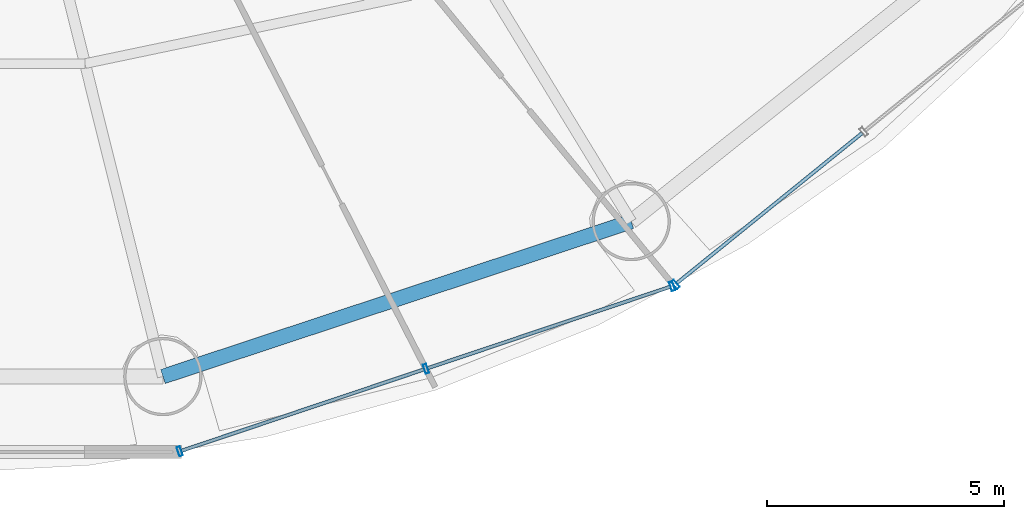
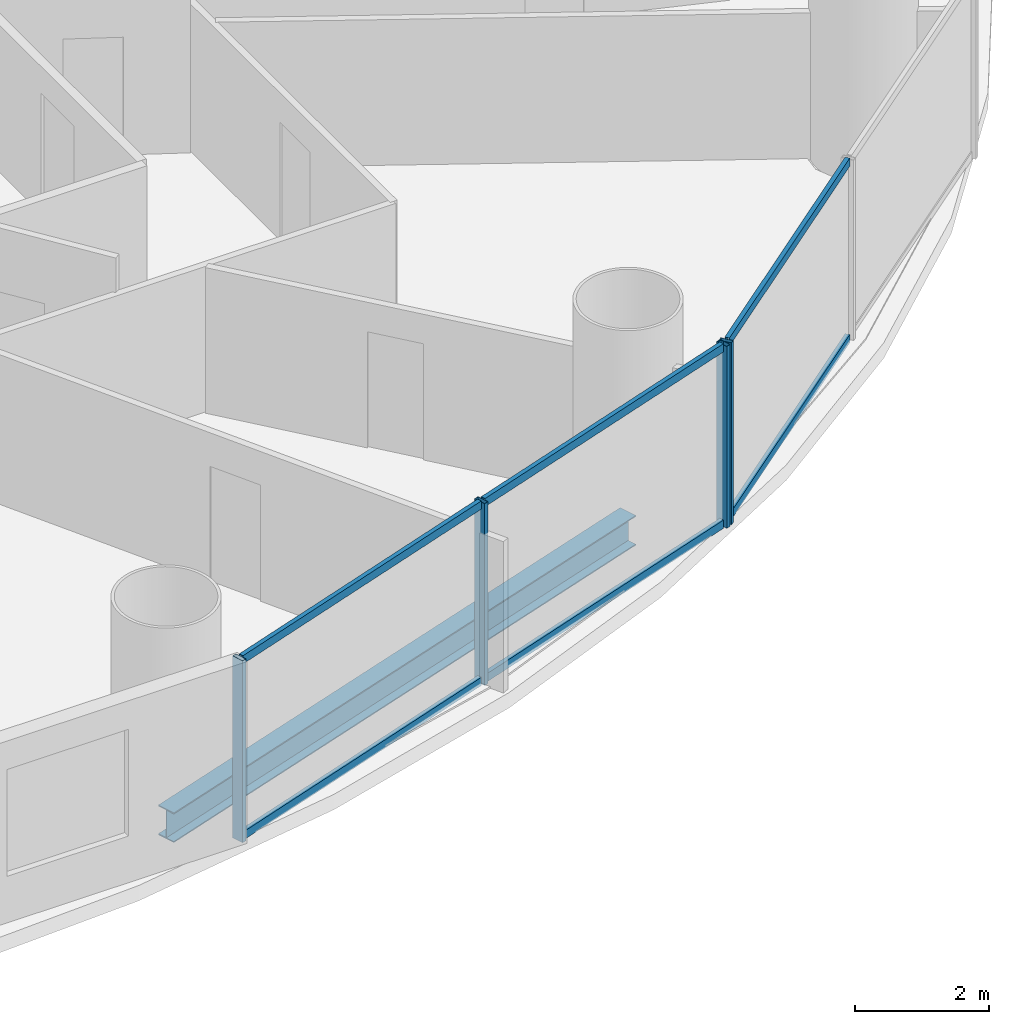
# One storey, part 8 of 28: 10 members, 1 beam, 2 elements without a shape of their own.
"""IFC4 building model written with IfcOpenShell, lengths in metres."""

from ifc_helpers import new_model, si_unit, direction, frame, origin, origin_2d, place, context, subcontext, project, spatial, hollow_rectangle, i_section, extrude, source, transform, mapped, material, material_profile, profile_set, type_object, element, aggregate, save


model = new_model("IFC4")

# Units and contexts
model_context = context("Model", 3, precision=1e-05, world=origin(), true_north=direction((-0.2419218956, 0.970295726276)))
body_context = subcontext(model_context, "Body", "Model", "MODEL_VIEW")
ifc_project = project(units=[si_unit("LENGTHUNIT", "METRE"), si_unit("AREAUNIT", "SQUARE_METRE"), si_unit("VOLUMEUNIT", "CUBIC_METRE"), si_unit("PLANEANGLEUNIT", "RADIAN"), si_unit("MASSUNIT", "GRAM", prefix="KILO")], contexts=[model_context])

# Site, building, storey
site_placement = place(None, origin())
site = spatial("IfcSite", under=ifc_project, at=site_placement, CompositionType="ELEMENT")
building_placement = place(site_placement, origin())
building = spatial("IfcBuilding", under=site, at=building_placement, Name="Cobrevalo Terracotta Tower", CompositionType="ELEMENT")
storey_placement = place(building_placement, frame((0.0, 0.0, 34.800048828125)))
storey = spatial("IfcBuildingStorey", under=building, at=storey_placement, Name="L08", CompositionType="ELEMENT", Elevation=34.800048828125)

# Beam
ifc_material_1 = material(Name="Steel S355", Category="steel")
ifc_material_profile_1 = material_profile(ifc_material_1, i_section(OverallWidth=0.31201171875, OverallDepth=0.54296875, WebThickness=0.0126953125, FlangeThickness=0.020263671875, at=origin_2d()), Name="W 530x150")
ifc_profile_set_1 = profile_set([ifc_material_profile_1], Name="Steel S355")
beam_type = type_object("IfcBeamType", Name="Structural Spandrel W 530x150 (Steel S355)", PredefinedType="SPANDREL", material=ifc_profile_set_1)
beam_placement = place(storey_placement, frame((43.335693359375, 5.369873046875, -0.551513671875), z_axis=(0.949372202648, 0.314153498848, 0.0), x_axis=(-0.314153498848, 0.949372202648, 0.0)))
element("IfcBeam", 1, at=beam_placement, inside=storey, type_object=beam_type, Name="L08 perimeter ring spandrel 13", PredefinedType="SPANDREL", context=body_context, shape_type="SweptSolid", body=[
    extrude(i_section(OverallWidth=0.31201171875, OverallDepth=0.54296875, WebThickness=0.0126953125, FlangeThickness=0.020263671875, at=origin_2d()), origin(), (0.0, 0.0, 1.0), 10.385009765625),
])

# Curtain wall, members
ifc_material_2 = material(Name="Anodized aluminium", Category="aluminium")
curtain_wall_type = type_object("IfcCurtainWallType", Name="Lower-tower unitised acoustic low-E curtain wall CW-U1", PredefinedType="NOTDEFINED", material=ifc_material_2)
curtain_wall_1_placement = place(storey_placement, origin())
curtain_wall_1 = element("IfcCurtainWall", 2, at=curtain_wall_1_placement, inside=storey, type_object=curtain_wall_type, Name="L08 curtain wall CW-L08-S13", PredefinedType="NOTDEFINED")
ifc_material_profile_2 = material_profile(ifc_material_2, hollow_rectangle(XDim=0.074951171875, YDim=0.199951171875, WallThickness=0.0048828125, at=origin_2d()), Name="CWM 75x200")
ifc_profile_set_2 = profile_set([ifc_material_profile_2], Name="Anodized aluminium")
member_type_1 = type_object("IfcMemberType", Name="Lower/mid tower unitised mullion 75x200", PredefinedType="MULLION", material=ifc_profile_set_2)
shared_shape_1 = source(origin(), body_context, "Body", "SweptSolid", [
    extrude(hollow_rectangle(XDim=0.074951171875, YDim=0.199951171875, WallThickness=0.0048828125, at=origin_2d()), origin(), (0.0, 0.0, 1.0), 3.320068359375),
])
member_1_placement = place(storey_placement, frame((43.689697265625, 3.793701171875, 0.0), z_axis=(0.0, 0.0, 1.0), x_axis=(0.948046393597, 0.318132103987, 0.0)))
member_1 = element("IfcMember", 3, at=member_1_placement, type_object=member_type_1, Name="CW-L08-S13 vertical mullion 01", PredefinedType="MULLION", context=body_context, shape_type="MappedRepresentation", body=[
    mapped(shared_shape_1, transform((0.0, 0.0, 0.0), scale=1.0)),
])
member_2_placement = place(storey_placement, frame((48.873291015625, 5.533203125, 0.0), z_axis=(0.0, 0.0, 1.0), x_axis=(0.948046393597, 0.318132103987, 0.0)))
member_2 = element("IfcMember", 4, at=member_2_placement, type_object=member_type_1, Name="CW-L08-S13 vertical mullion 02", PredefinedType="MULLION", context=body_context, shape_type="MappedRepresentation", body=[
    mapped(shared_shape_1, transform((0.0, 0.0, 0.0), scale=1.0)),
])
member_3_placement = place(storey_placement, frame((54.056884765625, 7.272705078125, 0.0), z_axis=(0.0, 0.0, 1.0), x_axis=(0.948046393597, 0.318132103987, 0.0)))
member_3 = element("IfcMember", 5, at=member_3_placement, type_object=member_type_1, Name="CW-L08-S13 vertical mullion 03", PredefinedType="MULLION", context=body_context, shape_type="MappedRepresentation", body=[
    mapped(shared_shape_1, transform((0.0, 0.0, 0.0), scale=1.0)),
])

curtain_wall_2_placement = place(storey_placement, origin())
curtain_wall_2 = element("IfcCurtainWall", 6, at=curtain_wall_2_placement, inside=storey, type_object=curtain_wall_type, Name="L08 curtain wall CW-L08-S14", PredefinedType="NOTDEFINED")
member_4_placement = place(storey_placement, frame((54.1259765625, 7.310546875, 0.0), z_axis=(0.0, 0.0, 1.0), x_axis=(0.777003153187, 0.629496703675, 0.0)))
member_4 = element("IfcMember", 7, at=member_4_placement, type_object=member_type_1, Name="CW-L08-S14 vertical mullion 01", PredefinedType="MULLION", context=body_context, shape_type="MappedRepresentation", body=[
    mapped(shared_shape_1, transform((0.0, 0.0, 0.0), scale=1.0)),
])
ifc_material_profile_3 = material_profile(ifc_material_2, hollow_rectangle(XDim=0.074951171875, YDim=0.14990234375, WallThickness=0.00439453125, at=origin_2d()), Name="CWT 75x150")
ifc_profile_set_3 = profile_set([ifc_material_profile_3], Name="Anodized aluminium")
member_type_2 = type_object("IfcMemberType", Name="Tower unitised aluminium transom 75x150", PredefinedType="USERDEFINED", material=ifc_profile_set_3)
shared_shape_2 = source(origin(), body_context, "Body", "SweptSolid", [
    extrude(hollow_rectangle(XDim=0.074951171875, YDim=0.14990234375, WallThickness=0.00439453125, at=origin_2d()), origin(), (0.0, 0.0, 1.0), 5.0234375),
])
member_5_placement = place(storey_placement, frame((54.156982421875, 7.335693359375, 0.050048828125), z_axis=(0.777022991593, 0.629472215857, 0.0), x_axis=(-0.629472215857, 0.777022991593, 0.0)))
member_5 = element("IfcMember", 8, at=member_5_placement, type_object=member_type_2, Name="CW-L08-S14 transom B01-T1", ObjectType="TRANSOM", PredefinedType="USERDEFINED", context=body_context, shape_type="MappedRepresentation", body=[
    mapped(shared_shape_2, transform((0.0, 0.0, 0.0), scale=1.0)),
])
member_6_placement = place(storey_placement, frame((54.156982421875, 7.335693359375, 3.27001953125), z_axis=(0.777022991593, 0.629472215857, 0.0), x_axis=(-0.629472215857, 0.777022991593, 0.0)))
member_6 = element("IfcMember", 9, at=member_6_placement, type_object=member_type_2, Name="CW-L08-S14 transom B01-T2", ObjectType="TRANSOM", PredefinedType="USERDEFINED", context=body_context, shape_type="MappedRepresentation", body=[
    mapped(shared_shape_2, transform((0.0, 0.0, 0.0), scale=1.0)),
])
aggregate(curtain_wall_2, [member_4, member_5, member_6])

# Member
shared_shape_3 = source(origin(), body_context, "Body", "SweptSolid", [
    extrude(hollow_rectangle(XDim=0.074951171875, YDim=0.14990234375, WallThickness=0.00439453125, at=origin_2d()), origin(), (0.0, 0.0, 1.0), 5.387939453125),
])
member_7_placement = place(storey_placement, frame((43.7275390625, 3.806396484375, 0.050048828125), z_axis=(0.94804244582, 0.318143868278, 0.0), x_axis=(-0.318143868278, 0.94804244582, 0.0)))
member_7 = element("IfcMember", 10, at=member_7_placement, type_object=member_type_2, Name="CW-L08-S13 transom B01-T1", ObjectType="TRANSOM", PredefinedType="USERDEFINED", context=body_context, shape_type="MappedRepresentation", body=[
    mapped(shared_shape_3, transform((0.0, 0.0, 0.0), scale=1.0)),
])

member_8_placement = place(storey_placement, frame((43.7275390625, 3.806396484375, 3.27001953125), z_axis=(0.94804244582, 0.318143868278, 0.0), x_axis=(-0.318143868278, 0.94804244582, 0.0)))
member_8 = element("IfcMember", 11, at=member_8_placement, type_object=member_type_2, Name="CW-L08-S13 transom B01-T2", ObjectType="TRANSOM", PredefinedType="USERDEFINED", context=body_context, shape_type="MappedRepresentation", body=[
    mapped(shared_shape_3, transform((0.0, 0.0, 0.0), scale=1.0)),
])

member_9_placement = place(storey_placement, frame((48.9111328125, 5.5458984375, 0.050048828125), z_axis=(0.94804244582, 0.318143868278, 0.0), x_axis=(-0.318143868278, 0.94804244582, 0.0)))
member_9 = element("IfcMember", 12, at=member_9_placement, type_object=member_type_2, Name="CW-L08-S13 transom B02-T1", ObjectType="TRANSOM", PredefinedType="USERDEFINED", context=body_context, shape_type="MappedRepresentation", body=[
    mapped(shared_shape_3, transform((0.0, 0.0, 0.0), scale=1.0)),
])

member_10_placement = place(storey_placement, frame((48.9111328125, 5.5458984375, 3.27001953125), z_axis=(0.94804244582, 0.318143868278, 0.0), x_axis=(-0.318143868278, 0.94804244582, 0.0)))
member_10 = element("IfcMember", 13, at=member_10_placement, type_object=member_type_2, Name="CW-L08-S13 transom B02-T2", ObjectType="TRANSOM", PredefinedType="USERDEFINED", context=body_context, shape_type="MappedRepresentation", body=[
    mapped(shared_shape_3, transform((0.0, 0.0, 0.0), scale=1.0)),
])

aggregate(curtain_wall_1, [member_1, member_2, member_3, member_7, member_8, member_9, member_10])

save(model, "model.ifc")
